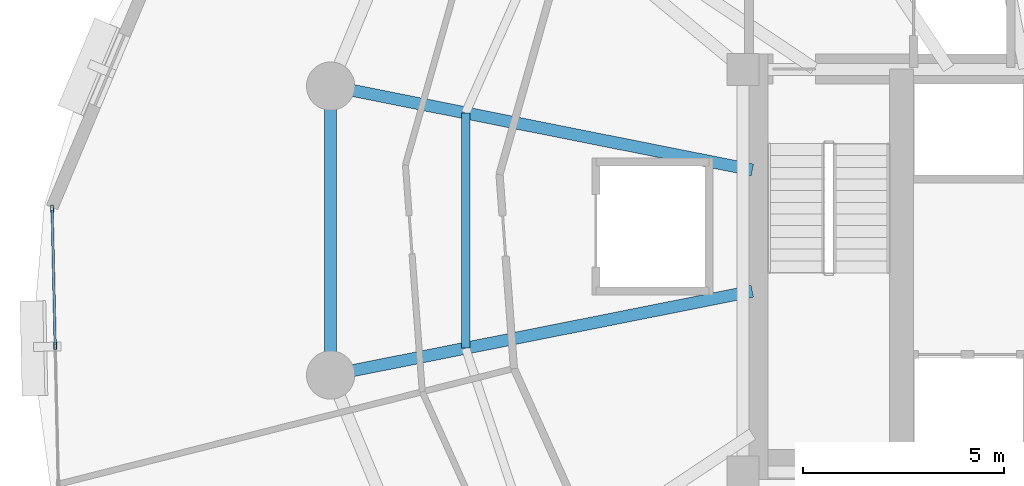
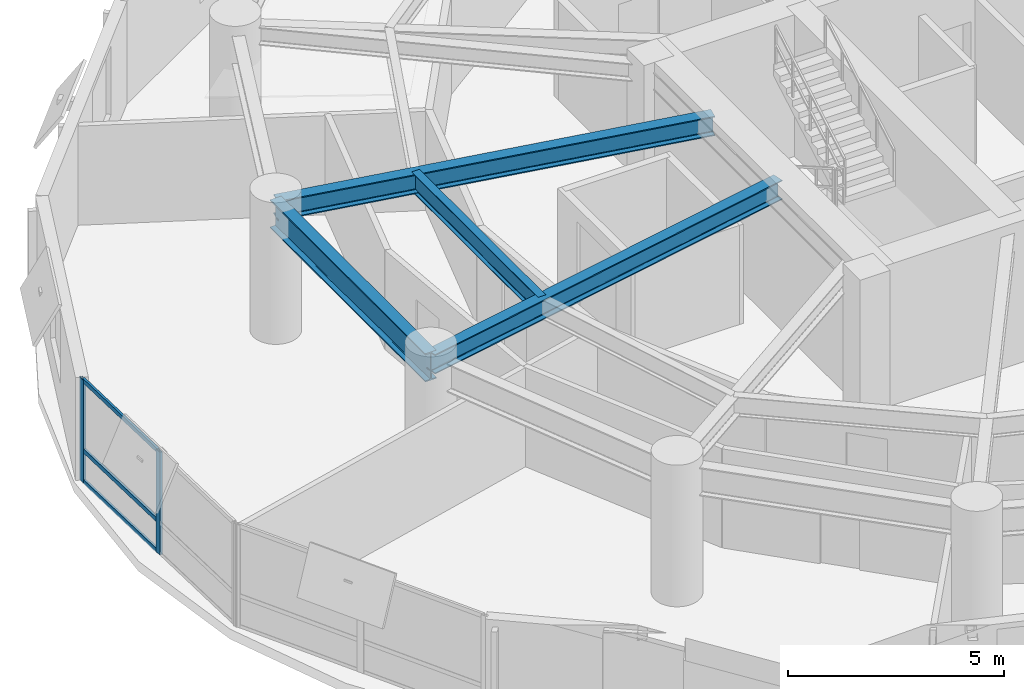
# One storey, part 4 of 15: 5 members, 4 beams, 1 element without a shape of its own.
"""IFC4 building model written with IfcOpenShell, lengths in metres."""

from ifc_helpers import new_model, si_unit, direction, frame, origin, origin_2d, place, context, subcontext, project, spatial, hollow_rectangle, i_section, extrude, material, layer, layer_set, material_profile, profile_set, type_object, element, aggregate, save


model = new_model("IFC4")

# Units and contexts
model_context = context("Model", 3, precision=1e-05, world=origin(), true_north=direction((0.0, 1.0)))
body_context = subcontext(model_context, "Body", "Model", "MODEL_VIEW")
ifc_project = project(units=[si_unit("LENGTHUNIT", "METRE"), si_unit("AREAUNIT", "SQUARE_METRE"), si_unit("VOLUMEUNIT", "CUBIC_METRE"), si_unit("PLANEANGLEUNIT", "RADIAN"), si_unit("MASSUNIT", "GRAM", prefix="KILO"), si_unit("THERMODYNAMICTEMPERATUREUNIT", "KELVIN"), si_unit("POWERUNIT", "WATT")], contexts=[model_context])

# Site, building, storey
site_placement = place(None, origin())
site = spatial("IfcSite", under=ifc_project, at=site_placement, CompositionType="ELEMENT")
building_placement = place(site_placement, origin())
building = spatial("IfcBuilding", under=site, at=building_placement, Name="Ocrelia Relay Tower", CompositionType="ELEMENT")
storey_placement = place(building_placement, frame((0.0, 0.0, 93.800048828125)))
storey = spatial("IfcBuildingStorey", under=building, at=storey_placement, Name="L21", CompositionType="ELEMENT", Elevation=93.800048828125)

# Beams
ifc_material_1 = material(Name="Steel S355", Category="steel")
ifc_material_profile_1 = material_profile(ifc_material_1, i_section(OverallWidth=0.300048828125, OverallDepth=0.550048828125, WebThickness=0.014892578125, FlangeThickness=0.029052734375, FilletRadius=0.027099609375, at=origin_2d()), Name="HEB 550")
ifc_profile_set_1 = profile_set([ifc_material_profile_1], Name="Steel S355")
beam_type_1 = type_object("IfcBeamType", Name="BM-HEB550", PredefinedType="BEAM", material=ifc_profile_set_1)
for number, where, z_axis, x_axis, name in (
    (1, (15.95361328125, 29.589599609375, 3.445068359375), (0.980787592082, -0.195078700063, 0.0), (0.195078700063, 0.980787592082, 0.0), "L21 Radial Floor Girder R08"),
    (2, (15.95361328125, 22.410400390625, 3.445068359375), (0.980787592082, 0.195078700063, 0.0), (-0.195078700063, 0.980787592082, 0.0), "L21 Radial Floor Girder R09"),
):
    element("IfcBeam", number, at=place(storey_placement, frame(where, z_axis=z_axis, x_axis=x_axis)), inside=storey, type_object=beam_type_1, Name=name, PredefinedType="BEAM", context=body_context, shape_type="SweptSolid", body=[
        extrude(i_section(OverallWidth=0.300048828125, OverallDepth=0.550048828125, WebThickness=0.014892578125, FlangeThickness=0.029052734375, FilletRadius=0.027099609375, at=origin_2d()), origin(), (0.0, 0.0, 1.0), 10.681640625),
    ])
ifc_material_profile_2 = material_profile(ifc_material_1, i_section(OverallWidth=0.300048828125, OverallDepth=0.800048828125, WebThickness=0.017578125, FlangeThickness=0.032958984375, FilletRadius=0.030029296875, at=origin_2d()), Name="HEB 800")
ifc_profile_set_2 = profile_set([ifc_material_profile_2], Name="Steel S355")
beam_type_2 = type_object("IfcBeamType", Name="BM-HEB800", PredefinedType="BEAM", material=ifc_profile_set_2)
beam_1_placement = place(storey_placement, frame((15.95361328125, 29.589599609375, 3.320068359375), z_axis=(0.0, -1.0, 0.0), x_axis=(1.0, 0.0, 0.0)))
element("IfcBeam", 3, at=beam_1_placement, inside=storey, type_object=beam_type_2, Name="L21 Perimeter Spandrel Beam S08", PredefinedType="BEAM", context=body_context, shape_type="SweptSolid", body=[
    extrude(i_section(OverallWidth=0.300048828125, OverallDepth=0.800048828125, WebThickness=0.017578125, FlangeThickness=0.032958984375, FilletRadius=0.030029296875, at=origin_2d()), origin(), (0.0, 0.0, 1.0), 7.17919921875),
])
ifc_material_profile_3 = material_profile(ifc_material_1, i_section(OverallWidth=0.2099609375, OverallDepth=0.550048828125, WebThickness=0.010986328125, FlangeThickness=0.01708984375, FilletRadius=0.02392578125, at=origin_2d()), Name="IPE 550")
ifc_profile_set_3 = profile_set([ifc_material_profile_3], Name="Steel S355")
beam_type_3 = type_object("IfcBeamType", Name="BM-IPE550", PredefinedType="JOIST", material=ifc_profile_set_3)
beam_2_placement = place(storey_placement, frame((19.305908203125, 28.9228515625, 3.445068359375), z_axis=(0.0, -1.0, 0.0), x_axis=(1.0, 0.0, 0.0)))
element("IfcBeam", 4, at=beam_2_placement, inside=storey, type_object=beam_type_3, Name="L21 Secondary Floor Joist J08", PredefinedType="JOIST", context=body_context, shape_type="SweptSolid", body=[
    extrude(i_section(OverallWidth=0.2099609375, OverallDepth=0.550048828125, WebThickness=0.010986328125, FlangeThickness=0.01708984375, FilletRadius=0.02392578125, at=origin_2d()), origin(), (0.0, 0.0, 1.0), 5.845703125),
])

# Curtain wall, members
ifc_material_2 = material(Name="Aluminium and solar-control low-E glass", Category="aluminium")
ifc_layer = layer(ifc_material_2, 0.179931640625, Name="Aluminium and solar-control low-E glass")
ifc_layer_set = layer_set([ifc_layer], Name="Aluminium and solar-control low-E glass")
curtain_wall_type = type_object("IfcCurtainWallType", Name="CW-SYS-Z2-SWIT", PredefinedType="NOTDEFINED", material=ifc_layer_set)
curtain_wall_placement = place(storey_placement, origin())
curtain_wall = element("IfcCurtainWall", 5, at=curtain_wall_placement, inside=storey, type_object=curtain_wall_type, Name="L21 Elliptical Tower Curtain Wall Bay 09", PredefinedType="NOTDEFINED")
ifc_material_3 = material(Name="Anodised bronze aluminium", Category="aluminium")
ifc_material_profile_4 = material_profile(ifc_material_3, hollow_rectangle(XDim=0.070068359375, YDim=0.179931640625, WallThickness=0.006103515625, at=origin_2d()), Name="CW-MUL-180x70")
ifc_profile_set_4 = profile_set([ifc_material_profile_4], Name="Anodised bronze aluminium")
member_type_1 = type_object("IfcMemberType", Name="CW-SYS-Z2-SWIT-MUL", PredefinedType="MULLION", material=ifc_profile_set_4)
member_1_placement = place(storey_placement, frame((9.03466796875, 26.540771484375, 0.0), z_axis=(0.0, 0.0, 1.0), x_axis=(0.999750032312, 0.02235783737, 0.0)))
member_1 = element("IfcMember", 6, at=member_1_placement, type_object=member_type_1, Name="CW-Z2 mullion 1", PredefinedType="MULLION", context=body_context, shape_type="SweptSolid", body=[
    extrude(hollow_rectangle(XDim=0.070068359375, YDim=0.179931640625, WallThickness=0.006103515625, at=origin_2d()), origin(), (0.0, 0.0, 1.0), 2.89990234375),
])
member_2_placement = place(storey_placement, frame((9.11083984375, 23.13720703125, 0.0), z_axis=(0.0, 0.0, 1.0), x_axis=(0.999750032312, 0.02235783737, 0.0)))
member_2 = element("IfcMember", 7, at=member_2_placement, type_object=member_type_1, Name="CW-Z2 mullion 2", PredefinedType="MULLION", context=body_context, shape_type="SweptSolid", body=[
    extrude(hollow_rectangle(XDim=0.070068359375, YDim=0.179931640625, WallThickness=0.006103515625, at=origin_2d()), origin(), (0.0, 0.0, 1.0), 2.89990234375),
])
ifc_material_profile_5 = material_profile(ifc_material_3, hollow_rectangle(XDim=0.06005859375, YDim=0.1201171875, WallThickness=0.0048828125, at=origin_2d()), Name="CW-TRN-120x60")
ifc_profile_set_5 = profile_set([ifc_material_profile_5], Name="Anodised bronze aluminium")
member_type_2 = type_object("IfcMemberType", Name="CW-SYS-Z2-SWIT-TRN", PredefinedType="USERDEFINED", material=ifc_profile_set_5)
member_3_placement = place(storey_placement, frame((9.035400390625, 26.505859375, 0.030029296875), z_axis=(0.022403749204, -0.999749004511, 0.0), x_axis=(0.999749004511, 0.022403749204, 0.0)))
member_3 = element("IfcMember", 8, at=member_3_placement, type_object=member_type_2, Name="CW-Z2 transom 1.1", ObjectType="TRANSOM", PredefinedType="USERDEFINED", context=body_context, shape_type="SweptSolid", body=[
    extrude(hollow_rectangle(XDim=0.06005859375, YDim=0.1201171875, WallThickness=0.0048828125, at=origin_2d()), origin(), (0.0, 0.0, 1.0), 3.33447265625),
])
member_4_placement = place(storey_placement, frame((9.035400390625, 26.505859375, 0.89990234375), z_axis=(0.022403749204, -0.999749004511, 0.0), x_axis=(0.999749004511, 0.022403749204, 0.0)))
member_4 = element("IfcMember", 9, at=member_4_placement, type_object=member_type_2, Name="CW-Z2 transom 1.2", ObjectType="TRANSOM", PredefinedType="USERDEFINED", context=body_context, shape_type="SweptSolid", body=[
    extrude(hollow_rectangle(XDim=0.06005859375, YDim=0.1201171875, WallThickness=0.0048828125, at=origin_2d()), origin(), (0.0, 0.0, 1.0), 3.33447265625),
])
member_5_placement = place(storey_placement, frame((9.035400390625, 26.505859375, 2.869873046875), z_axis=(0.022403749204, -0.999749004511, 0.0), x_axis=(0.999749004511, 0.022403749204, 0.0)))
member_5 = element("IfcMember", 10, at=member_5_placement, type_object=member_type_2, Name="CW-Z2 transom 1.3", ObjectType="TRANSOM", PredefinedType="USERDEFINED", context=body_context, shape_type="SweptSolid", body=[
    extrude(hollow_rectangle(XDim=0.06005859375, YDim=0.1201171875, WallThickness=0.0048828125, at=origin_2d()), origin(), (0.0, 0.0, 1.0), 3.33447265625),
])
aggregate(curtain_wall, [member_1, member_2, member_3, member_4, member_5])

save(model, "model.ifc")
